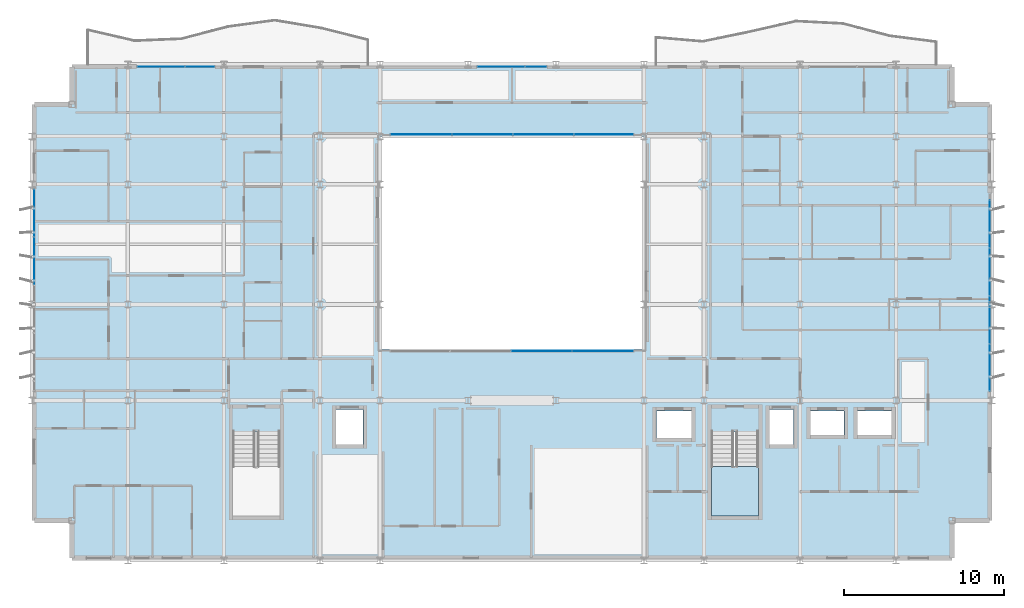
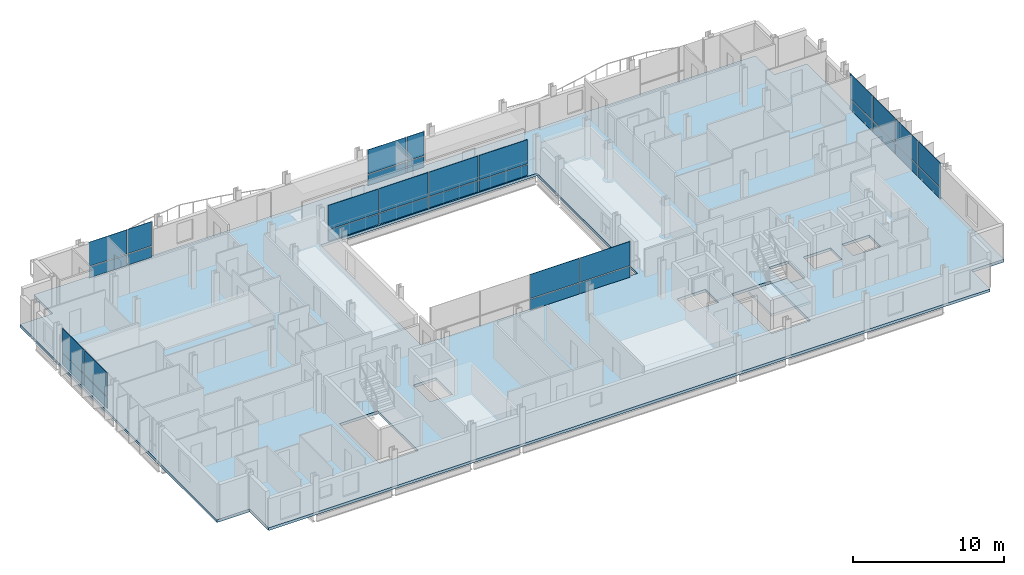
# One storey, part 25 of 40: 32 plates, 2 slabs, 7 elements without a shape of their own.
"""IFC4 building model written with IfcOpenShell, lengths in metres."""

from ifc_helpers import new_model, si_unit, direction, frame, origin, origin_2d, place, context, subcontext, project, spatial, polyline, rectangle, outline, extrude, material, layer, layer_set, type_object, element, aggregate, save


model = new_model("IFC4")

# Units and contexts
model_context = context("Model", 3, precision=1e-05, world=origin(), true_north=direction((0.0, 1.0)))
body_context = subcontext(model_context, "Body", "Model", "MODEL_VIEW")
ifc_project = project(units=[si_unit("LENGTHUNIT", "METRE"), si_unit("AREAUNIT", "SQUARE_METRE"), si_unit("VOLUMEUNIT", "CUBIC_METRE"), si_unit("PLANEANGLEUNIT", "RADIAN"), si_unit("MASSUNIT", "GRAM", prefix="KILO")], contexts=[model_context])

# Site, building, storey
site_placement = place(None, origin())
site = spatial("IfcSite", under=ifc_project, at=site_placement, CompositionType="ELEMENT")
building_placement = place(site_placement, origin())
building = spatial("IfcBuilding", under=site, at=building_placement, Name="Brevholm Reach", CompositionType="ELEMENT")
storey_placement = place(building_placement, frame((0.0, 0.0, 160.39990234375)))
storey = spatial("IfcBuildingStorey", under=building, at=storey_placement, Name="L48", CompositionType="ELEMENT", Elevation=160.39990234375)

# Curtain wall, plates
ifc_material_1 = material(Name="Dark Anodised Aluminium 6063-T6 and Solar-Control Glass", Category="aluminium")
ifc_layer_1 = layer(ifc_material_1, 0.14990234375)
ifc_layer_set_1 = layer_set([ifc_layer_1], Name="Dark Anodised Aluminium 6063-T6 and Solar-Control Glass")
curtain_wall_type_1 = type_object("IfcCurtainWallType", Name="CW-01", PredefinedType="NOTDEFINED", material=ifc_layer_set_1)
curtain_wall_1_placement = place(storey_placement, origin())
curtain_wall_1 = element("IfcCurtainWall", 1, at=curtain_wall_1_placement, inside=storey, type_object=curtain_wall_type_1, Name="L48 Curtain Wall CW-01", PredefinedType="NOTDEFINED")
ifc_material_2 = material(Name="Dark Solar-Control Double-Glazed IGU Glass", Category="glass")
ifc_layer_2 = layer(ifc_material_2, 0.028076171875)
ifc_layer_set_2 = layer_set([ifc_layer_2], Name="Dark Solar-Control Double-Glazed IGU Glass")
plate_type_1 = type_object("IfcPlateType", Name="CWP-GLZ-28", PredefinedType="CURTAIN_PANEL", material=ifc_layer_set_2)
plate_1_placement = place(storey_placement, frame((0.14990234375, 21.703857421875, 0.0), z_axis=(0.0, 0.0, 1.0), x_axis=(0.0, -1.0, 0.0)))
plate_1 = element("IfcPlate", 2, at=plate_1_placement, type_object=plate_type_1, Name="CP-01 Glazing Panel 1.1", PredefinedType="CURTAIN_PANEL", context=body_context, shape_type="SweptSolid", body=[
    extrude(rectangle(XDim=2.902587890625, YDim=0.028076171875, at=origin_2d()), origin(), (0.0, 0.0, 1.0), 0.867431640625),
])
plate_2_placement = place(storey_placement, frame((0.14990234375, 21.703857421875, 0.9326171875), z_axis=(0.0, 0.0, 1.0), x_axis=(0.0, -1.0, 0.0)))
plate_2 = element("IfcPlate", 3, at=plate_2_placement, type_object=plate_type_1, Name="CP-01 Glazing Panel 1.2", PredefinedType="CURTAIN_PANEL", context=body_context, shape_type="SweptSolid", body=[
    extrude(rectangle(XDim=2.902587890625, YDim=0.028076171875, at=origin_2d()), origin(), (0.0, 0.0, 1.0), 1.947509765625),
])
plate_3_placement = place(storey_placement, frame((0.14990234375, 18.719970703125, 0.0), z_axis=(0.0, 0.0, 1.0), x_axis=(0.0, -1.0, 0.0)))
plate_3 = element("IfcPlate", 4, at=plate_3_placement, type_object=plate_type_1, Name="CP-01 Glazing Panel 2.1", PredefinedType="CURTAIN_PANEL", context=body_context, shape_type="SweptSolid", body=[
    extrude(rectangle(XDim=2.93505859375, YDim=0.028076171875, at=origin_2d()), origin(), (0.0, 0.0, 1.0), 0.867431640625),
])
plate_4_placement = place(storey_placement, frame((0.14990234375, 18.719970703125, 0.9326171875), z_axis=(0.0, 0.0, 1.0), x_axis=(0.0, -1.0, 0.0)))
plate_4 = element("IfcPlate", 5, at=plate_4_placement, type_object=plate_type_1, Name="CP-01 Glazing Panel 2.2", PredefinedType="CURTAIN_PANEL", context=body_context, shape_type="SweptSolid", body=[
    extrude(rectangle(XDim=2.93505859375, YDim=0.028076171875, at=origin_2d()), origin(), (0.0, 0.0, 1.0), 1.947509765625),
])
aggregate(curtain_wall_1, [plate_1, plate_2, plate_3, plate_4])

curtain_wall_2_placement = place(storey_placement, origin())
curtain_wall_2 = element("IfcCurtainWall", 6, at=curtain_wall_2_placement, inside=storey, type_object=curtain_wall_type_1, Name="L48 Curtain Wall CW-01", PredefinedType="NOTDEFINED")
plate_5_placement = place(storey_placement, frame((59.85009765625, 12.066162109375, 0.0), z_axis=(0.0, 0.0, 1.0), x_axis=(0.0, 1.0, 0.0)))
plate_5 = element("IfcPlate", 7, at=plate_5_placement, type_object=plate_type_1, Name="CP-01 Glazing Panel 1.1", PredefinedType="CURTAIN_PANEL", context=body_context, shape_type="SweptSolid", body=[
    extrude(rectangle(XDim=2.902587890625, YDim=0.028076171875, at=origin_2d()), origin(), (0.0, 0.0, 1.0), 0.867431640625),
])
plate_6_placement = place(storey_placement, frame((59.85009765625, 12.066162109375, 0.9326171875), z_axis=(0.0, 0.0, 1.0), x_axis=(0.0, 1.0, 0.0)))
plate_6 = element("IfcPlate", 8, at=plate_6_placement, type_object=plate_type_1, Name="CP-01 Glazing Panel 1.2", PredefinedType="CURTAIN_PANEL", context=body_context, shape_type="SweptSolid", body=[
    extrude(rectangle(XDim=2.902587890625, YDim=0.028076171875, at=origin_2d()), origin(), (0.0, 0.0, 1.0), 1.947509765625),
])
plate_7_placement = place(storey_placement, frame((59.85009765625, 15.050048828125, 0.0), z_axis=(0.0, 0.0, 1.0), x_axis=(0.0, 1.0, 0.0)))
plate_7 = element("IfcPlate", 9, at=plate_7_placement, type_object=plate_type_1, Name="CP-01 Glazing Panel 2.1", PredefinedType="CURTAIN_PANEL", context=body_context, shape_type="SweptSolid", body=[
    extrude(rectangle(XDim=2.93505859375, YDim=0.028076171875, at=origin_2d()), origin(), (0.0, 0.0, 1.0), 0.867431640625),
])
plate_8_placement = place(storey_placement, frame((59.85009765625, 15.050048828125, 0.9326171875), z_axis=(0.0, 0.0, 1.0), x_axis=(0.0, 1.0, 0.0)))
plate_8 = element("IfcPlate", 10, at=plate_8_placement, type_object=plate_type_1, Name="CP-01 Glazing Panel 2.2", PredefinedType="CURTAIN_PANEL", context=body_context, shape_type="SweptSolid", body=[
    extrude(rectangle(XDim=2.93505859375, YDim=0.028076171875, at=origin_2d()), origin(), (0.0, 0.0, 1.0), 1.947509765625),
])
plate_9_placement = place(storey_placement, frame((59.85009765625, 18.050048828125, 0.0), z_axis=(0.0, 0.0, 1.0), x_axis=(0.0, 1.0, 0.0)))
plate_9 = element("IfcPlate", 11, at=plate_9_placement, type_object=plate_type_1, Name="CP-01 Glazing Panel 3.1", PredefinedType="CURTAIN_PANEL", context=body_context, shape_type="SweptSolid", body=[
    extrude(rectangle(XDim=2.93505859375, YDim=0.028076171875, at=origin_2d()), origin(), (0.0, 0.0, 1.0), 0.867431640625),
])
plate_10_placement = place(storey_placement, frame((59.85009765625, 18.050048828125, 0.9326171875), z_axis=(0.0, 0.0, 1.0), x_axis=(0.0, 1.0, 0.0)))
plate_10 = element("IfcPlate", 12, at=plate_10_placement, type_object=plate_type_1, Name="CP-01 Glazing Panel 3.2", PredefinedType="CURTAIN_PANEL", context=body_context, shape_type="SweptSolid", body=[
    extrude(rectangle(XDim=2.93505859375, YDim=0.028076171875, at=origin_2d()), origin(), (0.0, 0.0, 1.0), 1.947509765625),
])
plate_11_placement = place(storey_placement, frame((59.85009765625, 21.050048828125, 0.0), z_axis=(0.0, 0.0, 1.0), x_axis=(0.0, 1.0, 0.0)))
plate_11 = element("IfcPlate", 13, at=plate_11_placement, type_object=plate_type_1, Name="CP-01 Glazing Panel 4.1", PredefinedType="CURTAIN_PANEL", context=body_context, shape_type="SweptSolid", body=[
    extrude(rectangle(XDim=2.93505859375, YDim=0.028076171875, at=origin_2d()), origin(), (0.0, 0.0, 1.0), 0.867431640625),
])
plate_12_placement = place(storey_placement, frame((59.85009765625, 21.050048828125, 0.9326171875), z_axis=(0.0, 0.0, 1.0), x_axis=(0.0, 1.0, 0.0)))
plate_12 = element("IfcPlate", 14, at=plate_12_placement, type_object=plate_type_1, Name="CP-01 Glazing Panel 4.2", PredefinedType="CURTAIN_PANEL", context=body_context, shape_type="SweptSolid", body=[
    extrude(rectangle(XDim=2.93505859375, YDim=0.028076171875, at=origin_2d()), origin(), (0.0, 0.0, 1.0), 1.947509765625),
])
aggregate(curtain_wall_2, [plate_5, plate_6, plate_7, plate_8, plate_9, plate_10, plate_11, plate_12])

curtain_wall_3_placement = place(storey_placement, origin())
curtain_wall_3 = element("IfcCurtainWall", 15, at=curtain_wall_3_placement, inside=storey, type_object=curtain_wall_type_1, Name="L48 Curtain Wall CW-01", PredefinedType="NOTDEFINED")
plate_13_placement = place(storey_placement, frame((8.066162109375, 30.85009765625, 0.0), z_axis=(0.0, 0.0, 1.0), x_axis=(1.0, 0.0, 0.0)))
plate_13 = element("IfcPlate", 16, at=plate_13_placement, type_object=plate_type_1, Name="CP-01 Glazing Panel 1.1", PredefinedType="CURTAIN_PANEL", context=body_context, shape_type="SweptSolid", body=[
    extrude(rectangle(XDim=2.902587890625, YDim=0.028076171875, at=origin_2d()), origin(), (0.0, 0.0, 1.0), 0.867431640625),
])
plate_14_placement = place(storey_placement, frame((8.066162109375, 30.85009765625, 0.9326171875), z_axis=(0.0, 0.0, 1.0), x_axis=(1.0, 0.0, 0.0)))
plate_14 = element("IfcPlate", 17, at=plate_14_placement, type_object=plate_type_1, Name="CP-01 Glazing Panel 1.2", PredefinedType="CURTAIN_PANEL", context=body_context, shape_type="SweptSolid", body=[
    extrude(rectangle(XDim=2.902587890625, YDim=0.028076171875, at=origin_2d()), origin(), (0.0, 0.0, 1.0), 1.947509765625),
])
plate_15_placement = place(storey_placement, frame((10.483642578125, 30.85009765625, 0.0), z_axis=(0.0, 0.0, 1.0), x_axis=(1.0, 0.0, 0.0)))
plate_15 = element("IfcPlate", 18, at=plate_15_placement, type_object=plate_type_1, Name="CP-01 Glazing Panel 2.1", PredefinedType="CURTAIN_PANEL", context=body_context, shape_type="SweptSolid", body=[
    extrude(rectangle(XDim=1.802490234375, YDim=0.028076171875, at=origin_2d()), origin(), (0.0, 0.0, 1.0), 0.867431640625),
])
plate_16_placement = place(storey_placement, frame((10.483642578125, 30.85009765625, 0.9326171875), z_axis=(0.0, 0.0, 1.0), x_axis=(1.0, 0.0, 0.0)))
plate_16 = element("IfcPlate", 19, at=plate_16_placement, type_object=plate_type_1, Name="CP-01 Glazing Panel 2.2", PredefinedType="CURTAIN_PANEL", context=body_context, shape_type="SweptSolid", body=[
    extrude(rectangle(XDim=1.802490234375, YDim=0.028076171875, at=origin_2d()), origin(), (0.0, 0.0, 1.0), 1.947509765625),
])
aggregate(curtain_wall_3, [plate_13, plate_14, plate_15, plate_16])

curtain_wall_4_placement = place(storey_placement, origin())
curtain_wall_4 = element("IfcCurtainWall", 20, at=curtain_wall_4_placement, inside=storey, type_object=curtain_wall_type_1, Name="L48 Curtain Wall CW-01", PredefinedType="NOTDEFINED")
plate_17_placement = place(storey_placement, frame((29.316162109375, 30.85009765625, 0.0), z_axis=(0.0, 0.0, 1.0), x_axis=(1.0, 0.0, 0.0)))
plate_17 = element("IfcPlate", 21, at=plate_17_placement, type_object=plate_type_1, Name="CP-01 Glazing Panel 1.1", PredefinedType="CURTAIN_PANEL", context=body_context, shape_type="SweptSolid", body=[
    extrude(rectangle(XDim=2.902587890625, YDim=0.028076171875, at=origin_2d()), origin(), (0.0, 0.0, 1.0), 0.867431640625),
])
plate_18_placement = place(storey_placement, frame((29.316162109375, 30.85009765625, 0.9326171875), z_axis=(0.0, 0.0, 1.0), x_axis=(1.0, 0.0, 0.0)))
plate_18 = element("IfcPlate", 22, at=plate_18_placement, type_object=plate_type_1, Name="CP-01 Glazing Panel 1.2", PredefinedType="CURTAIN_PANEL", context=body_context, shape_type="SweptSolid", body=[
    extrude(rectangle(XDim=2.902587890625, YDim=0.028076171875, at=origin_2d()), origin(), (0.0, 0.0, 1.0), 1.947509765625),
])
plate_19_placement = place(storey_placement, frame((31.483642578125, 30.85009765625, 0.0), z_axis=(0.0, 0.0, 1.0), x_axis=(1.0, 0.0, 0.0)))
plate_19 = element("IfcPlate", 23, at=plate_19_placement, type_object=plate_type_1, Name="CP-01 Glazing Panel 2.1", PredefinedType="CURTAIN_PANEL", context=body_context, shape_type="SweptSolid", body=[
    extrude(rectangle(XDim=1.302490234375, YDim=0.028076171875, at=origin_2d()), origin(), (0.0, 0.0, 1.0), 0.867431640625),
])
plate_20_placement = place(storey_placement, frame((31.483642578125, 30.85009765625, 0.9326171875), z_axis=(0.0, 0.0, 1.0), x_axis=(1.0, 0.0, 0.0)))
plate_20 = element("IfcPlate", 24, at=plate_20_placement, type_object=plate_type_1, Name="CP-01 Glazing Panel 2.2", PredefinedType="CURTAIN_PANEL", context=body_context, shape_type="SweptSolid", body=[
    extrude(rectangle(XDim=1.302490234375, YDim=0.028076171875, at=origin_2d()), origin(), (0.0, 0.0, 1.0), 1.947509765625),
])
aggregate(curtain_wall_4, [plate_17, plate_18, plate_19, plate_20])

ifc_material_3 = material(Name="Dark Anodised Aluminium 6063-T6 and Solar-Control Glass", Category="aluminium")
ifc_layer_3 = layer(ifc_material_3, 0.139892578125)
ifc_layer_set_3 = layer_set([ifc_layer_3], Name="Dark Anodised Aluminium 6063-T6 and Solar-Control Glass")
curtain_wall_type_2 = type_object("IfcCurtainWallType", Name="CW-02", PredefinedType="NOTDEFINED", material=ifc_layer_set_3)
curtain_wall_5_placement = place(storey_placement, origin())
curtain_wall_5 = element("IfcCurtainWall", 25, at=curtain_wall_5_placement, inside=storey, type_object=curtain_wall_type_2, Name="L48 Curtain Wall CW-02", PredefinedType="NOTDEFINED")
ifc_material_4 = material(Name="Low-Iron Laminated Acoustic Glass", Category="glass")
ifc_layer_4 = layer(ifc_material_4, 0.035888671875)
ifc_layer_set_4 = layer_set([ifc_layer_4], Name="Low-Iron Laminated Acoustic Glass")
plate_type_2 = type_object("IfcPlateType", Name="CWP-GLZ-36", PredefinedType="CURTAIN_PANEL", material=ifc_layer_set_4)
plate_21_placement = place(storey_placement, frame((31.85009765625, 13.080078125, 0.0), z_axis=(0.0, 0.0, 1.0), x_axis=(1.0, 0.0, 0.0)))
plate_21 = element("IfcPlate", 26, at=plate_21_placement, type_object=plate_type_2, Name="CP-02 Glazing Panel 3.1", PredefinedType="CURTAIN_PANEL", context=body_context, shape_type="SweptSolid", body=[
    extrude(rectangle(XDim=3.739990234375, YDim=0.035888671875, at=origin_2d()), origin(), (0.0, 0.0, 1.0), 0.8701171875),
])
plate_22_placement = place(storey_placement, frame((31.85009765625, 13.080078125, 0.93017578125), z_axis=(0.0, 0.0, 1.0), x_axis=(1.0, 0.0, 0.0)))
plate_22 = element("IfcPlate", 27, at=plate_22_placement, type_object=plate_type_2, Name="CP-02 Glazing Panel 3.2", PredefinedType="CURTAIN_PANEL", context=body_context, shape_type="SweptSolid", body=[
    extrude(rectangle(XDim=3.739990234375, YDim=0.035888671875, at=origin_2d()), origin(), (0.0, 0.0, 1.0), 1.949951171875),
])
plate_23_placement = place(storey_placement, frame((35.68505859375, 13.080078125, 0.0), z_axis=(0.0, 0.0, 1.0), x_axis=(1.0, 0.0, 0.0)))
plate_23 = element("IfcPlate", 28, at=plate_23_placement, type_object=plate_type_2, Name="CP-02 Glazing Panel 4.1", PredefinedType="CURTAIN_PANEL", context=body_context, shape_type="SweptSolid", body=[
    extrude(rectangle(XDim=3.81005859375, YDim=0.035888671875, at=origin_2d()), origin(), (0.0, 0.0, 1.0), 0.8701171875),
])
plate_24_placement = place(storey_placement, frame((35.68505859375, 13.080078125, 0.93017578125), z_axis=(0.0, 0.0, 1.0), x_axis=(1.0, 0.0, 0.0)))
plate_24 = element("IfcPlate", 29, at=plate_24_placement, type_object=plate_type_2, Name="CP-02 Glazing Panel 4.2", PredefinedType="CURTAIN_PANEL", context=body_context, shape_type="SweptSolid", body=[
    extrude(rectangle(XDim=3.81005859375, YDim=0.035888671875, at=origin_2d()), origin(), (0.0, 0.0, 1.0), 1.949951171875),
])
aggregate(curtain_wall_5, [plate_21, plate_22, plate_23, plate_24])

curtain_wall_6_placement = place(storey_placement, origin())
curtain_wall_6 = element("IfcCurtainWall", 30, at=curtain_wall_6_placement, inside=storey, type_object=curtain_wall_type_2, Name="L48 Curtain Wall CW-02", PredefinedType="NOTDEFINED")
plate_25_placement = place(storey_placement, frame((35.735107421875, 26.6201171875, 0.0), z_axis=(0.0, 0.0, 1.0), x_axis=(-1.0, 0.0, 0.0)))
plate_25 = element("IfcPlate", 31, at=plate_25_placement, type_object=plate_type_2, Name="CP-02 Glazing Panel 1.1", PredefinedType="CURTAIN_PANEL", context=body_context, shape_type="SweptSolid", body=[
    extrude(rectangle(XDim=3.7099609375, YDim=0.035888671875, at=origin_2d()), origin(), (0.0, 0.0, 1.0), 0.8701171875),
])
plate_26_placement = place(storey_placement, frame((35.735107421875, 26.6201171875, 0.93017578125), z_axis=(0.0, 0.0, 1.0), x_axis=(-1.0, 0.0, 0.0)))
plate_26 = element("IfcPlate", 32, at=plate_26_placement, type_object=plate_type_2, Name="CP-02 Glazing Panel 1.2", PredefinedType="CURTAIN_PANEL", context=body_context, shape_type="SweptSolid", body=[
    extrude(rectangle(XDim=3.7099609375, YDim=0.035888671875, at=origin_2d()), origin(), (0.0, 0.0, 1.0), 1.949951171875),
])
plate_27_placement = place(storey_placement, frame((31.949951171875, 26.6201171875, 0.0), z_axis=(0.0, 0.0, 1.0), x_axis=(-1.0, 0.0, 0.0)))
plate_27 = element("IfcPlate", 33, at=plate_27_placement, type_object=plate_type_2, Name="CP-02 Glazing Panel 2.1", PredefinedType="CURTAIN_PANEL", context=body_context, shape_type="SweptSolid", body=[
    extrude(rectangle(XDim=3.739990234375, YDim=0.035888671875, at=origin_2d()), origin(), (0.0, 0.0, 1.0), 0.8701171875),
])
plate_28_placement = place(storey_placement, frame((31.949951171875, 26.6201171875, 0.93017578125), z_axis=(0.0, 0.0, 1.0), x_axis=(-1.0, 0.0, 0.0)))
plate_28 = element("IfcPlate", 34, at=plate_28_placement, type_object=plate_type_2, Name="CP-02 Glazing Panel 2.2", PredefinedType="CURTAIN_PANEL", context=body_context, shape_type="SweptSolid", body=[
    extrude(rectangle(XDim=3.739990234375, YDim=0.035888671875, at=origin_2d()), origin(), (0.0, 0.0, 1.0), 1.949951171875),
])
plate_29_placement = place(storey_placement, frame((28.14990234375, 26.6201171875, 0.0), z_axis=(0.0, 0.0, 1.0), x_axis=(-1.0, 0.0, 0.0)))
plate_29 = element("IfcPlate", 35, at=plate_29_placement, type_object=plate_type_2, Name="CP-02 Glazing Panel 3.1", PredefinedType="CURTAIN_PANEL", context=body_context, shape_type="SweptSolid", body=[
    extrude(rectangle(XDim=3.739990234375, YDim=0.035888671875, at=origin_2d()), origin(), (0.0, 0.0, 1.0), 0.8701171875),
])
plate_30_placement = place(storey_placement, frame((28.14990234375, 26.6201171875, 0.93017578125), z_axis=(0.0, 0.0, 1.0), x_axis=(-1.0, 0.0, 0.0)))
plate_30 = element("IfcPlate", 36, at=plate_30_placement, type_object=plate_type_2, Name="CP-02 Glazing Panel 3.2", PredefinedType="CURTAIN_PANEL", context=body_context, shape_type="SweptSolid", body=[
    extrude(rectangle(XDim=3.739990234375, YDim=0.035888671875, at=origin_2d()), origin(), (0.0, 0.0, 1.0), 1.949951171875),
])
plate_31_placement = place(storey_placement, frame((24.31494140625, 26.6201171875, 0.0), z_axis=(0.0, 0.0, 1.0), x_axis=(-1.0, 0.0, 0.0)))
plate_31 = element("IfcPlate", 37, at=plate_31_placement, type_object=plate_type_2, Name="CP-02 Glazing Panel 4.1", PredefinedType="CURTAIN_PANEL", context=body_context, shape_type="SweptSolid", body=[
    extrude(rectangle(XDim=3.81005859375, YDim=0.035888671875, at=origin_2d()), origin(), (0.0, 0.0, 1.0), 0.8701171875),
])
plate_32_placement = place(storey_placement, frame((24.31494140625, 26.6201171875, 0.93017578125), z_axis=(0.0, 0.0, 1.0), x_axis=(-1.0, 0.0, 0.0)))
plate_32 = element("IfcPlate", 38, at=plate_32_placement, type_object=plate_type_2, Name="CP-02 Glazing Panel 4.2", PredefinedType="CURTAIN_PANEL", context=body_context, shape_type="SweptSolid", body=[
    extrude(rectangle(XDim=3.81005859375, YDim=0.035888671875, at=origin_2d()), origin(), (0.0, 0.0, 1.0), 1.949951171875),
])
aggregate(curtain_wall_6, [plate_25, plate_26, plate_27, plate_28, plate_29, plate_30, plate_31, plate_32])

# Slab
ifc_material_5 = material(Name="Concrete C40/50", Category="concrete")
ifc_layer_5 = layer(ifc_material_5, 0.219970703125)
ifc_layer_set_5 = layer_set([ifc_layer_5], Name="Concrete C40/50")
slab_type_1 = type_object("IfcSlabType", Name="SLB-FL-220", PredefinedType="FLOOR", material=ifc_layer_set_5)
slab_1_placement = place(storey_placement, frame((0.0, 0.0, -0.219970703125)))
element("IfcSlab", 39, at=slab_1_placement, inside=storey, type_object=slab_type_1, Name="L48 Suspended Floor Slab (main)", PredefinedType="FLOOR", context=body_context, shape_type="SweptSolid", body=[
    extrude(outline(polyline([(2.5, 0.0), (57.5, 0.0), (57.5, 2.5), (60.0, 2.5), (60.0, 28.5), (57.5, 28.5), (57.5, 31.0), (2.5, 31.0), (2.5, 28.5), (0.0, 28.5), (0.0, 2.5), (2.5, 2.5), (2.5, 0.0)]), holes=[polyline([(21.75, 13.199951171875), (38.25, 13.199951171875), (38.25, 26.5), (21.75, 26.5), (21.75, 13.199951171875)]), polyline([(12.550048828125, 2.780029296875), (15.5, 2.780029296875), (15.5, 8.044921875), (12.550048828125, 8.044921875), (12.550048828125, 2.780029296875)]), polyline([(42.449951171875, 2.780029296875), (45.39990234375, 2.780029296875), (45.39990234375, 8.044921875), (42.449951171875, 8.044921875), (42.449951171875, 2.780029296875)]), polyline([(19.0, 7.25), (20.699951171875, 7.25), (20.699951171875, 9.449951171875), (19.0, 9.449951171875), (19.0, 7.25)]), polyline([(46.10009765625, 7.25), (47.60009765625, 7.25), (47.60009765625, 9.449951171875), (46.10009765625, 9.449951171875), (46.10009765625, 7.25)]), polyline([(39.02001953125, 7.64990234375), (41.219970703125, 7.64990234375), (41.219970703125, 9.35009765625), (39.02001953125, 9.35009765625), (39.02001953125, 7.64990234375)]), polyline([(48.64990234375, 7.85009765625), (50.75, 7.85009765625), (50.75, 9.35009765625), (48.64990234375, 9.35009765625), (48.64990234375, 7.85009765625)]), polyline([(51.60009765625, 7.85009765625), (53.699951171875, 7.85009765625), (53.699951171875, 9.35009765625), (51.60009765625, 9.35009765625), (51.60009765625, 7.85009765625)])]), origin(), (0.0, 0.0, 1.0), 0.219970703125),
])

# Stair, slab
ifc_material_6 = material(Name="Precast Concrete C40/50", Category="concrete")
stair_type = type_object("IfcStairType", Name="STR-ESC-1400", PredefinedType="DOUBLE_RETURN_STAIR", material=ifc_material_6)
stair_placement = place(storey_placement, origin())
stair = element("IfcStair", 40, at=stair_placement, inside=storey, type_object=stair_type, Name="L48 ST-2", PredefinedType="DOUBLE_RETURN_STAIR")
ifc_material_7 = material(Name="Concrete C40/50", Category="concrete")
ifc_layer_6 = layer(ifc_material_7, 0.199951171875)
ifc_layer_set_6 = layer_set([ifc_layer_6], Name="Concrete C40/50")
slab_type_2 = type_object("IfcSlabType", Name="SLB-LND-200", PredefinedType="LANDING", material=ifc_layer_set_6)
slab_2_placement = place(storey_placement, frame((0.0, 0.0, 1.35009765625)))
slab_2 = element("IfcSlab", 41, at=slab_2_placement, type_object=slab_type_2, Name="ST-2 landing 1", PredefinedType="LANDING", context=body_context, shape_type="SweptSolid", body=[
    extrude(outline(polyline([(42.449951171875, 5.860107421875), (42.449951171875, 2.780029296875), (45.39990234375, 2.780029296875), (45.39990234375, 5.860107421875), (42.449951171875, 5.860107421875)])), origin(), (0.0, 0.0, 1.0), 0.199951171875),
])
aggregate(stair, [slab_2])

save(model, "model.ifc")
